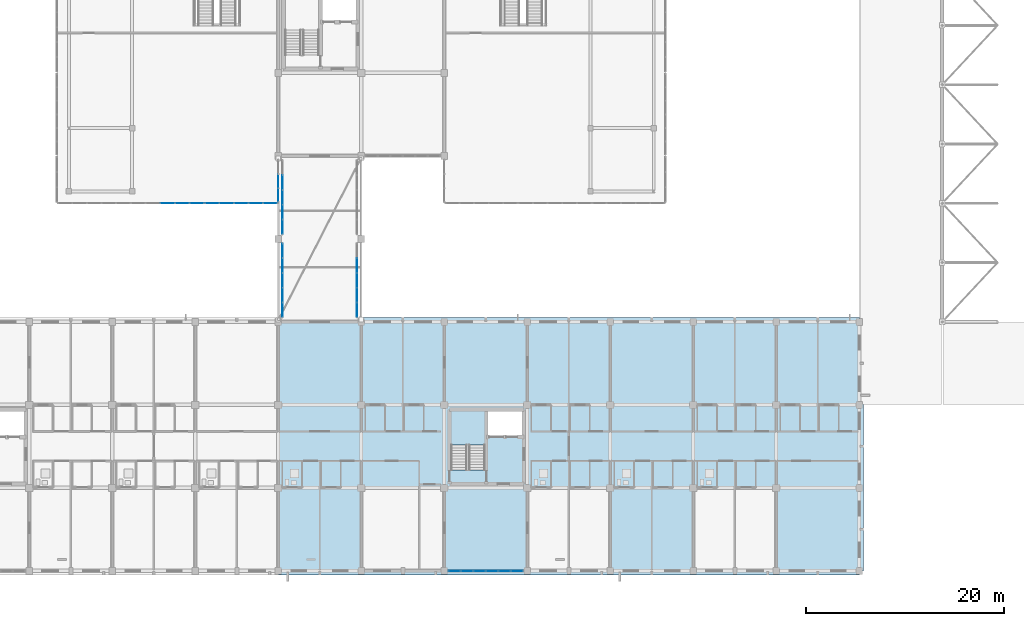
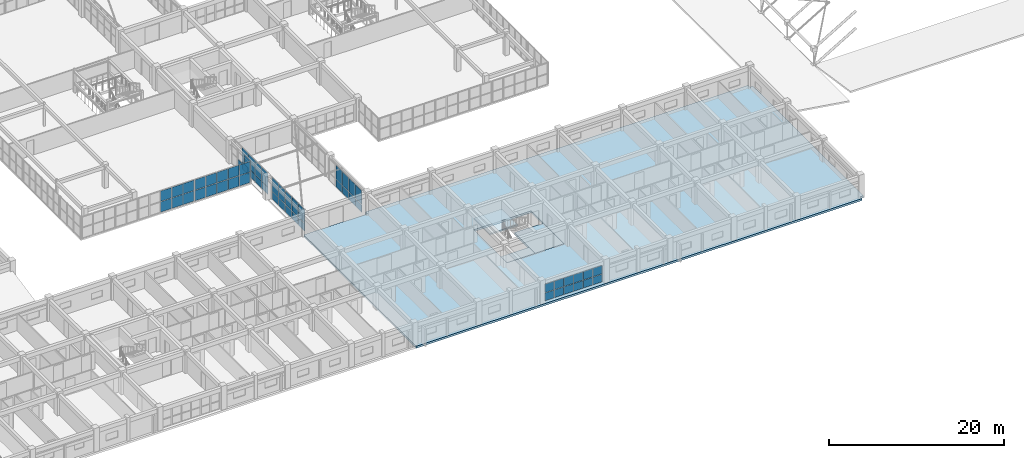
# One storey, part 100 of 148: 57 plates, 4 slabs, 8 elements without a shape of their own.
"""IFC4 building model written with IfcOpenShell, lengths in metres."""

from ifc_helpers import new_model, si_unit, direction, frame, origin, origin_2d, place, context, subcontext, project, spatial, polyline, rectangle, outline, extrude, material, layer, layer_set, type_object, element, aggregate, save


model = new_model("IFC4")

# Units and contexts
model_context = context("Model", 3, precision=1e-05, world=origin(), true_north=direction((0.0, 1.0)))
body_context = subcontext(model_context, "Body", "Model", "MODEL_VIEW")
ifc_project = project(units=[si_unit("LENGTHUNIT", "METRE"), si_unit("AREAUNIT", "SQUARE_METRE"), si_unit("VOLUMEUNIT", "CUBIC_METRE"), si_unit("PLANEANGLEUNIT", "RADIAN"), si_unit("MASSUNIT", "GRAM", prefix="KILO")], contexts=[model_context])

# Site, building, storey
site_placement = place(None, origin())
site = spatial("IfcSite", under=ifc_project, at=site_placement, CompositionType="ELEMENT")
building_placement = place(site_placement, origin())
building = spatial("IfcBuilding", under=site, at=building_placement, Name="Trelvath General Hospital", CompositionType="ELEMENT")
storey_placement = place(building_placement, frame((0.0, 0.0, 12.89990234375)))
storey = spatial("IfcBuildingStorey", under=building, at=storey_placement, Name="L03", CompositionType="ELEMENT", Elevation=12.89990234375)

# Curtain wall, plates
ifc_material_1 = material(Name="Anodised aluminium and low-E glass", Category="aluminium")
ifc_layer_1 = layer(ifc_material_1, 0.14990234375)
ifc_layer_set_1 = layer_set([ifc_layer_1], Name="Anodised aluminium and low-E glass")
curtain_wall_type_1 = type_object("IfcCurtainWallType", Name="CW CrystalCube 743 306 15", PredefinedType="USERDEFINED", material=ifc_layer_set_1)
curtain_wall_1_placement = place(storey_placement, origin())
curtain_wall_1 = element("IfcCurtainWall", 1, at=curtain_wall_1_placement, inside=storey, type_object=curtain_wall_type_1, Name="Crystal Cube Curtain Wall CUBE-W-T1 S2 L03", ObjectType="Unitised Glazed Curtain Wall", PredefinedType="USERDEFINED")
ifc_material_2 = material(Name="Low-E laminated glass", Category="glass")
ifc_layer_2 = layer(ifc_material_2, 0.028076171875)
ifc_layer_set_2 = layer_set([ifc_layer_2], Name="Low-E laminated glass")
plate_type_1 = type_object("IfcPlateType", Name="CurtainPanel Glass28", PredefinedType="CURTAIN_PANEL", material=ifc_layer_set_2)
plate_1_placement = place(storey_placement, frame((67.355712890625, 37.199951171875, 0.06005859375), z_axis=(0.0, 0.0, 1.0), x_axis=(-1.0, 0.0, 0.0)))
plate_1 = element("IfcPlate", 2, at=plate_1_placement, type_object=plate_type_1, Name="CW-231 panel 1.1", PredefinedType="CURTAIN_PANEL", context=body_context, shape_type="SweptSolid", body=[
    extrude(rectangle(XDim=1.395263671875, YDim=0.028076171875, at=origin_2d()), origin(), (0.0, 0.0, 1.0), 1.43994140625),
])
plate_2_placement = place(storey_placement, frame((67.355712890625, 37.199951171875, 1.56005859375), z_axis=(0.0, 0.0, 1.0), x_axis=(-1.0, 0.0, 0.0)))
plate_2 = element("IfcPlate", 3, at=plate_2_placement, type_object=plate_type_1, Name="CW-231 panel 1.2", PredefinedType="CURTAIN_PANEL", context=body_context, shape_type="SweptSolid", body=[
    extrude(rectangle(XDim=1.395263671875, YDim=0.028076171875, at=origin_2d()), origin(), (0.0, 0.0, 1.0), 1.43994140625),
])
plate_3_placement = place(storey_placement, frame((65.88525390625, 37.199951171875, 0.06005859375), z_axis=(0.0, 0.0, 1.0), x_axis=(-1.0, 0.0, 0.0)))
plate_3 = element("IfcPlate", 4, at=plate_3_placement, type_object=plate_type_1, Name="CW-231 panel 2.1", PredefinedType="CURTAIN_PANEL", context=body_context, shape_type="SweptSolid", body=[
    extrude(rectangle(XDim=1.42529296875, YDim=0.028076171875, at=origin_2d()), origin(), (0.0, 0.0, 1.0), 1.43994140625),
])
plate_4_placement = place(storey_placement, frame((65.88525390625, 37.199951171875, 1.56005859375), z_axis=(0.0, 0.0, 1.0), x_axis=(-1.0, 0.0, 0.0)))
plate_4 = element("IfcPlate", 5, at=plate_4_placement, type_object=plate_type_1, Name="CW-231 panel 2.2", PredefinedType="CURTAIN_PANEL", context=body_context, shape_type="SweptSolid", body=[
    extrude(rectangle(XDim=1.42529296875, YDim=0.028076171875, at=origin_2d()), origin(), (0.0, 0.0, 1.0), 1.43994140625),
])
plate_5_placement = place(storey_placement, frame((64.39990234375, 37.199951171875, 0.06005859375), z_axis=(0.0, 0.0, 1.0), x_axis=(-1.0, 0.0, 0.0)))
plate_5 = element("IfcPlate", 6, at=plate_5_placement, type_object=plate_type_1, Name="CW-231 panel 3.1", PredefinedType="CURTAIN_PANEL", context=body_context, shape_type="SweptSolid", body=[
    extrude(rectangle(XDim=1.42529296875, YDim=0.028076171875, at=origin_2d()), origin(), (0.0, 0.0, 1.0), 1.43994140625),
])
plate_6_placement = place(storey_placement, frame((64.39990234375, 37.199951171875, 1.56005859375), z_axis=(0.0, 0.0, 1.0), x_axis=(-1.0, 0.0, 0.0)))
plate_6 = element("IfcPlate", 7, at=plate_6_placement, type_object=plate_type_1, Name="CW-231 panel 3.2", PredefinedType="CURTAIN_PANEL", context=body_context, shape_type="SweptSolid", body=[
    extrude(rectangle(XDim=1.42529296875, YDim=0.028076171875, at=origin_2d()), origin(), (0.0, 0.0, 1.0), 1.43994140625),
])
aggregate(curtain_wall_1, [plate_1, plate_2, plate_3, plate_4, plate_5, plate_6])

ifc_material_3 = material(Name="Anodised aluminium and low-E glass", Category="aluminium")
ifc_layer_3 = layer(ifc_material_3, 0.14990234375)
ifc_layer_set_3 = layer_set([ifc_layer_3], Name="Anodised aluminium and low-E glass")
curtain_wall_type_2 = type_object("IfcCurtainWallType", Name="CW CrystalCube 737 306 15", PredefinedType="USERDEFINED", material=ifc_layer_set_3)
curtain_wall_2_placement = place(storey_placement, origin())
curtain_wall_2 = element("IfcCurtainWall", 8, at=curtain_wall_2_placement, inside=storey, type_object=curtain_wall_type_2, Name="Crystal Cube Curtain Wall CUBE-W-T1 S3 L03", ObjectType="Unitised Glazed Curtain Wall", PredefinedType="USERDEFINED")
plate_7_placement = place(storey_placement, frame((74.768310546875, 37.199951171875, 0.06005859375), z_axis=(0.0, 0.0, 1.0), x_axis=(-1.0, 0.0, 0.0)))
plate_7 = element("IfcPlate", 9, at=plate_7_placement, type_object=plate_type_1, Name="CW-232 panel 1.1", PredefinedType="CURTAIN_PANEL", context=body_context, shape_type="SweptSolid", body=[
    extrude(rectangle(XDim=1.38330078125, YDim=0.028076171875, at=origin_2d()), origin(), (0.0, 0.0, 1.0), 1.43994140625),
])
plate_8_placement = place(storey_placement, frame((74.768310546875, 37.199951171875, 1.56005859375), z_axis=(0.0, 0.0, 1.0), x_axis=(-1.0, 0.0, 0.0)))
plate_8 = element("IfcPlate", 10, at=plate_8_placement, type_object=plate_type_1, Name="CW-232 panel 1.2", PredefinedType="CURTAIN_PANEL", context=body_context, shape_type="SweptSolid", body=[
    extrude(rectangle(XDim=1.38330078125, YDim=0.028076171875, at=origin_2d()), origin(), (0.0, 0.0, 1.0), 1.43994140625),
])
plate_9_placement = place(storey_placement, frame((73.31005859375, 37.199951171875, 0.06005859375), z_axis=(0.0, 0.0, 1.0), x_axis=(-1.0, 0.0, 0.0)))
plate_9 = element("IfcPlate", 11, at=plate_9_placement, type_object=plate_type_1, Name="CW-232 panel 2.1", PredefinedType="CURTAIN_PANEL", context=body_context, shape_type="SweptSolid", body=[
    extrude(rectangle(XDim=1.413330078125, YDim=0.028076171875, at=origin_2d()), origin(), (0.0, 0.0, 1.0), 1.43994140625),
])
plate_10_placement = place(storey_placement, frame((73.31005859375, 37.199951171875, 1.56005859375), z_axis=(0.0, 0.0, 1.0), x_axis=(-1.0, 0.0, 0.0)))
plate_10 = element("IfcPlate", 12, at=plate_10_placement, type_object=plate_type_1, Name="CW-232 panel 2.2", PredefinedType="CURTAIN_PANEL", context=body_context, shape_type="SweptSolid", body=[
    extrude(rectangle(XDim=1.413330078125, YDim=0.028076171875, at=origin_2d()), origin(), (0.0, 0.0, 1.0), 1.43994140625),
])
plate_11_placement = place(storey_placement, frame((71.836669921875, 37.199951171875, 0.06005859375), z_axis=(0.0, 0.0, 1.0), x_axis=(-1.0, 0.0, 0.0)))
plate_11 = element("IfcPlate", 13, at=plate_11_placement, type_object=plate_type_1, Name="CW-232 panel 3.1", PredefinedType="CURTAIN_PANEL", context=body_context, shape_type="SweptSolid", body=[
    extrude(rectangle(XDim=1.413330078125, YDim=0.028076171875, at=origin_2d()), origin(), (0.0, 0.0, 1.0), 1.43994140625),
])
plate_12_placement = place(storey_placement, frame((71.836669921875, 37.199951171875, 1.56005859375), z_axis=(0.0, 0.0, 1.0), x_axis=(-1.0, 0.0, 0.0)))
plate_12 = element("IfcPlate", 14, at=plate_12_placement, type_object=plate_type_1, Name="CW-232 panel 3.2", PredefinedType="CURTAIN_PANEL", context=body_context, shape_type="SweptSolid", body=[
    extrude(rectangle(XDim=1.413330078125, YDim=0.028076171875, at=origin_2d()), origin(), (0.0, 0.0, 1.0), 1.43994140625),
])
plate_13_placement = place(storey_placement, frame((70.36328125, 37.199951171875, 0.06005859375), z_axis=(0.0, 0.0, 1.0), x_axis=(-1.0, 0.0, 0.0)))
plate_13 = element("IfcPlate", 15, at=plate_13_placement, type_object=plate_type_1, Name="CW-232 panel 4.1", PredefinedType="CURTAIN_PANEL", context=body_context, shape_type="SweptSolid", body=[
    extrude(rectangle(XDim=1.413330078125, YDim=0.028076171875, at=origin_2d()), origin(), (0.0, 0.0, 1.0), 1.43994140625),
])
plate_14_placement = place(storey_placement, frame((70.36328125, 37.199951171875, 1.56005859375), z_axis=(0.0, 0.0, 1.0), x_axis=(-1.0, 0.0, 0.0)))
plate_14 = element("IfcPlate", 16, at=plate_14_placement, type_object=plate_type_1, Name="CW-232 panel 4.2", PredefinedType="CURTAIN_PANEL", context=body_context, shape_type="SweptSolid", body=[
    extrude(rectangle(XDim=1.413330078125, YDim=0.028076171875, at=origin_2d()), origin(), (0.0, 0.0, 1.0), 1.43994140625),
])
plate_15_placement = place(storey_placement, frame((68.905029296875, 37.199951171875, 0.06005859375), z_axis=(0.0, 0.0, 1.0), x_axis=(-1.0, 0.0, 0.0)))
plate_15 = element("IfcPlate", 17, at=plate_15_placement, type_object=plate_type_1, Name="CW-232 panel 5.1", PredefinedType="CURTAIN_PANEL", context=body_context, shape_type="SweptSolid", body=[
    extrude(rectangle(XDim=1.38330078125, YDim=0.028076171875, at=origin_2d()), origin(), (0.0, 0.0, 1.0), 1.43994140625),
])
plate_16_placement = place(storey_placement, frame((68.905029296875, 37.199951171875, 1.56005859375), z_axis=(0.0, 0.0, 1.0), x_axis=(-1.0, 0.0, 0.0)))
plate_16 = element("IfcPlate", 18, at=plate_16_placement, type_object=plate_type_1, Name="CW-232 panel 5.2", PredefinedType="CURTAIN_PANEL", context=body_context, shape_type="SweptSolid", body=[
    extrude(rectangle(XDim=1.38330078125, YDim=0.028076171875, at=origin_2d()), origin(), (0.0, 0.0, 1.0), 1.43994140625),
])
aggregate(curtain_wall_2, [plate_7, plate_8, plate_9, plate_10, plate_11, plate_12, plate_13, plate_14, plate_15, plate_16])

ifc_material_4 = material(Name="Anodised aluminium and low-E glass", Category="aluminium")
ifc_layer_4 = layer(ifc_material_4, 0.14990234375)
ifc_layer_set_4 = layer_set([ifc_layer_4], Name="Anodised aluminium and low-E glass")
curtain_wall_type_3 = type_object("IfcCurtainWallType", Name="CW CrystalCube 434 306 15", PredefinedType="USERDEFINED", material=ifc_layer_set_4)
curtain_wall_3_placement = place(storey_placement, origin())
curtain_wall_3 = element("IfcCurtainWall", 19, at=curtain_wall_3_placement, inside=storey, type_object=curtain_wall_type_3, Name="Crystal Cube Curtain Wall CUBE-W-T1 E1 L03", ObjectType="Unitised Glazed Curtain Wall", PredefinedType="USERDEFINED")
plate_17_placement = place(storey_placement, frame((75.60009765625, 39.449951171875, 0.06005859375), z_axis=(0.0, 0.0, 1.0), x_axis=(0.0, -1.0, 0.0)))
plate_17 = element("IfcPlate", 20, at=plate_17_placement, type_object=plate_type_1, Name="CW-237 panel 2.1", PredefinedType="CURTAIN_PANEL", context=body_context, shape_type="SweptSolid", body=[
    extrude(rectangle(XDim=1.38671875, YDim=0.028076171875, at=origin_2d()), origin(), (0.0, 0.0, 1.0), 1.43994140625),
])
plate_18_placement = place(storey_placement, frame((75.60009765625, 38.018310546875, 0.06005859375), z_axis=(0.0, 0.0, 1.0), x_axis=(0.0, -1.0, 0.0)))
plate_18 = element("IfcPlate", 21, at=plate_18_placement, type_object=plate_type_1, Name="CW-237 panel 3.1", PredefinedType="CURTAIN_PANEL", context=body_context, shape_type="SweptSolid", body=[
    extrude(rectangle(XDim=1.356689453125, YDim=0.028076171875, at=origin_2d()), origin(), (0.0, 0.0, 1.0), 1.43994140625),
])
plate_19_placement = place(storey_placement, frame((75.60009765625, 38.018310546875, 1.56005859375), z_axis=(0.0, 0.0, 1.0), x_axis=(0.0, -1.0, 0.0)))
plate_19 = element("IfcPlate", 22, at=plate_19_placement, type_object=plate_type_1, Name="CW-237 panel 3.2", PredefinedType="CURTAIN_PANEL", context=body_context, shape_type="SweptSolid", body=[
    extrude(rectangle(XDim=1.356689453125, YDim=0.028076171875, at=origin_2d()), origin(), (0.0, 0.0, 1.0), 1.43994140625),
])
aggregate(curtain_wall_3, [plate_17, plate_18, plate_19])

ifc_material_5 = material(Name="Anodised aluminium and low-E glass", Category="aluminium")
ifc_layer_5 = layer(ifc_material_5, 0.139892578125)
ifc_layer_set_5 = layer_set([ifc_layer_5], Name="Anodised aluminium and low-E glass")
curtain_wall_type_4 = type_object("IfcCurtainWallType", Name="CW Bridge 752 311", PredefinedType="USERDEFINED", material=ifc_layer_set_5)
curtain_wall_4_placement = place(storey_placement, origin())
curtain_wall_4 = element("IfcCurtainWall", 23, at=curtain_wall_4_placement, inside=storey, type_object=curtain_wall_type_4, Name="Glazed Bridge Curtain Wall BRG-S-C W L03", ObjectType="Unitised Glazed Curtain Wall", PredefinedType="USERDEFINED")
plate_20_placement = place(storey_placement, frame((76.0400390625, 26.406982421875, 0.06005859375), z_axis=(0.0, 0.0, 1.0), x_axis=(0.0, 1.0, 0.0)))
plate_20 = element("IfcPlate", 24, at=plate_20_placement, type_object=plate_type_1, Name="CW-264 panel 1.1", PredefinedType="CURTAIN_PANEL", context=body_context, shape_type="SweptSolid", body=[
    extrude(rectangle(XDim=1.4140625, YDim=0.028076171875, at=origin_2d()), origin(), (0.0, 0.0, 1.0), 1.010009765625),
])
plate_21_placement = place(storey_placement, frame((76.0400390625, 26.406982421875, 1.130126953125), z_axis=(0.0, 0.0, 1.0), x_axis=(0.0, 1.0, 0.0)))
plate_21 = element("IfcPlate", 25, at=plate_21_placement, type_object=plate_type_1, Name="CW-264 panel 1.2", PredefinedType="CURTAIN_PANEL", context=body_context, shape_type="SweptSolid", body=[
    extrude(rectangle(XDim=1.4140625, YDim=0.028076171875, at=origin_2d()), origin(), (0.0, 0.0, 1.0), 1.919921875),
])
plate_22_placement = place(storey_placement, frame((76.0400390625, 27.89599609375, 0.06005859375), z_axis=(0.0, 0.0, 1.0), x_axis=(0.0, 1.0, 0.0)))
plate_22 = element("IfcPlate", 26, at=plate_22_placement, type_object=plate_type_1, Name="CW-264 panel 2.1", PredefinedType="CURTAIN_PANEL", context=body_context, shape_type="SweptSolid", body=[
    extrude(rectangle(XDim=1.444091796875, YDim=0.028076171875, at=origin_2d()), origin(), (0.0, 0.0, 1.0), 1.010009765625),
])
plate_23_placement = place(storey_placement, frame((76.0400390625, 27.89599609375, 1.130126953125), z_axis=(0.0, 0.0, 1.0), x_axis=(0.0, 1.0, 0.0)))
plate_23 = element("IfcPlate", 27, at=plate_23_placement, type_object=plate_type_1, Name="CW-264 panel 2.2", PredefinedType="CURTAIN_PANEL", context=body_context, shape_type="SweptSolid", body=[
    extrude(rectangle(XDim=1.444091796875, YDim=0.028076171875, at=origin_2d()), origin(), (0.0, 0.0, 1.0), 1.919921875),
])
plate_24_placement = place(storey_placement, frame((76.0400390625, 29.39990234375, 0.06005859375), z_axis=(0.0, 0.0, 1.0), x_axis=(0.0, 1.0, 0.0)))
plate_24 = element("IfcPlate", 28, at=plate_24_placement, type_object=plate_type_1, Name="CW-264 panel 3.1", PredefinedType="CURTAIN_PANEL", context=body_context, shape_type="SweptSolid", body=[
    extrude(rectangle(XDim=1.444091796875, YDim=0.028076171875, at=origin_2d()), origin(), (0.0, 0.0, 1.0), 1.010009765625),
])
plate_25_placement = place(storey_placement, frame((76.0400390625, 29.39990234375, 1.130126953125), z_axis=(0.0, 0.0, 1.0), x_axis=(0.0, 1.0, 0.0)))
plate_25 = element("IfcPlate", 29, at=plate_25_placement, type_object=plate_type_1, Name="CW-264 panel 3.2", PredefinedType="CURTAIN_PANEL", context=body_context, shape_type="SweptSolid", body=[
    extrude(rectangle(XDim=1.444091796875, YDim=0.028076171875, at=origin_2d()), origin(), (0.0, 0.0, 1.0), 1.919921875),
])
plate_26_placement = place(storey_placement, frame((76.0400390625, 30.904052734375, 0.06005859375), z_axis=(0.0, 0.0, 1.0), x_axis=(0.0, 1.0, 0.0)))
plate_26 = element("IfcPlate", 30, at=plate_26_placement, type_object=plate_type_1, Name="CW-264 panel 4.1", PredefinedType="CURTAIN_PANEL", context=body_context, shape_type="SweptSolid", body=[
    extrude(rectangle(XDim=1.444091796875, YDim=0.028076171875, at=origin_2d()), origin(), (0.0, 0.0, 1.0), 1.010009765625),
])
plate_27_placement = place(storey_placement, frame((76.0400390625, 30.904052734375, 1.130126953125), z_axis=(0.0, 0.0, 1.0), x_axis=(0.0, 1.0, 0.0)))
plate_27 = element("IfcPlate", 31, at=plate_27_placement, type_object=plate_type_1, Name="CW-264 panel 4.2", PredefinedType="CURTAIN_PANEL", context=body_context, shape_type="SweptSolid", body=[
    extrude(rectangle(XDim=1.444091796875, YDim=0.028076171875, at=origin_2d()), origin(), (0.0, 0.0, 1.0), 1.919921875),
])
plate_28_placement = place(storey_placement, frame((76.0400390625, 32.39306640625, 0.06005859375), z_axis=(0.0, 0.0, 1.0), x_axis=(0.0, 1.0, 0.0)))
plate_28 = element("IfcPlate", 32, at=plate_28_placement, type_object=plate_type_1, Name="CW-264 panel 5.1", PredefinedType="CURTAIN_PANEL", context=body_context, shape_type="SweptSolid", body=[
    extrude(rectangle(XDim=1.4140625, YDim=0.028076171875, at=origin_2d()), origin(), (0.0, 0.0, 1.0), 1.010009765625),
])
plate_29_placement = place(storey_placement, frame((76.0400390625, 32.39306640625, 1.130126953125), z_axis=(0.0, 0.0, 1.0), x_axis=(0.0, 1.0, 0.0)))
plate_29 = element("IfcPlate", 33, at=plate_29_placement, type_object=plate_type_1, Name="CW-264 panel 5.2", PredefinedType="CURTAIN_PANEL", context=body_context, shape_type="SweptSolid", body=[
    extrude(rectangle(XDim=1.4140625, YDim=0.028076171875, at=origin_2d()), origin(), (0.0, 0.0, 1.0), 1.919921875),
])
aggregate(curtain_wall_4, [plate_20, plate_21, plate_22, plate_23, plate_24, plate_25, plate_26, plate_27, plate_28, plate_29])

curtain_wall_5_placement = place(storey_placement, origin())
curtain_wall_5 = element("IfcCurtainWall", 34, at=curtain_wall_5_placement, inside=storey, type_object=curtain_wall_type_4, Name="Glazed Bridge Curtain Wall BRG-S-C E L03", ObjectType="Unitised Glazed Curtain Wall", PredefinedType="USERDEFINED")
plate_30_placement = place(storey_placement, frame((83.56005859375, 30.904052734375, 0.06005859375), z_axis=(0.0, 0.0, 1.0), x_axis=(0.0, -1.0, 0.0)))
plate_30 = element("IfcPlate", 35, at=plate_30_placement, type_object=plate_type_1, Name="CW-265 panel 2.1", PredefinedType="CURTAIN_PANEL", context=body_context, shape_type="SweptSolid", body=[
    extrude(rectangle(XDim=1.444091796875, YDim=0.028076171875, at=origin_2d()), origin(), (0.0, 0.0, 1.0), 1.010009765625),
])
plate_31_placement = place(storey_placement, frame((83.56005859375, 30.904052734375, 1.130126953125), z_axis=(0.0, 0.0, 1.0), x_axis=(0.0, -1.0, 0.0)))
plate_31 = element("IfcPlate", 36, at=plate_31_placement, type_object=plate_type_1, Name="CW-265 panel 2.2", PredefinedType="CURTAIN_PANEL", context=body_context, shape_type="SweptSolid", body=[
    extrude(rectangle(XDim=1.444091796875, YDim=0.028076171875, at=origin_2d()), origin(), (0.0, 0.0, 1.0), 1.919921875),
])
plate_32_placement = place(storey_placement, frame((83.56005859375, 29.39990234375, 0.06005859375), z_axis=(0.0, 0.0, 1.0), x_axis=(0.0, -1.0, 0.0)))
plate_32 = element("IfcPlate", 37, at=plate_32_placement, type_object=plate_type_1, Name="CW-265 panel 3.1", PredefinedType="CURTAIN_PANEL", context=body_context, shape_type="SweptSolid", body=[
    extrude(rectangle(XDim=1.444091796875, YDim=0.028076171875, at=origin_2d()), origin(), (0.0, 0.0, 1.0), 1.010009765625),
])
plate_33_placement = place(storey_placement, frame((83.56005859375, 29.39990234375, 1.130126953125), z_axis=(0.0, 0.0, 1.0), x_axis=(0.0, -1.0, 0.0)))
plate_33 = element("IfcPlate", 38, at=plate_33_placement, type_object=plate_type_1, Name="CW-265 panel 3.2", PredefinedType="CURTAIN_PANEL", context=body_context, shape_type="SweptSolid", body=[
    extrude(rectangle(XDim=1.444091796875, YDim=0.028076171875, at=origin_2d()), origin(), (0.0, 0.0, 1.0), 1.919921875),
])
plate_34_placement = place(storey_placement, frame((83.56005859375, 27.89599609375, 0.06005859375), z_axis=(0.0, 0.0, 1.0), x_axis=(0.0, -1.0, 0.0)))
plate_34 = element("IfcPlate", 39, at=plate_34_placement, type_object=plate_type_1, Name="CW-265 panel 4.1", PredefinedType="CURTAIN_PANEL", context=body_context, shape_type="SweptSolid", body=[
    extrude(rectangle(XDim=1.444091796875, YDim=0.028076171875, at=origin_2d()), origin(), (0.0, 0.0, 1.0), 1.010009765625),
])
plate_35_placement = place(storey_placement, frame((83.56005859375, 27.89599609375, 1.130126953125), z_axis=(0.0, 0.0, 1.0), x_axis=(0.0, -1.0, 0.0)))
plate_35 = element("IfcPlate", 40, at=plate_35_placement, type_object=plate_type_1, Name="CW-265 panel 4.2", PredefinedType="CURTAIN_PANEL", context=body_context, shape_type="SweptSolid", body=[
    extrude(rectangle(XDim=1.444091796875, YDim=0.028076171875, at=origin_2d()), origin(), (0.0, 0.0, 1.0), 1.919921875),
])
plate_36_placement = place(storey_placement, frame((83.56005859375, 26.406982421875, 0.06005859375), z_axis=(0.0, 0.0, 1.0), x_axis=(0.0, -1.0, 0.0)))
plate_36 = element("IfcPlate", 41, at=plate_36_placement, type_object=plate_type_1, Name="CW-265 panel 5.1", PredefinedType="CURTAIN_PANEL", context=body_context, shape_type="SweptSolid", body=[
    extrude(rectangle(XDim=1.4140625, YDim=0.028076171875, at=origin_2d()), origin(), (0.0, 0.0, 1.0), 1.010009765625),
])
plate_37_placement = place(storey_placement, frame((83.56005859375, 26.406982421875, 1.130126953125), z_axis=(0.0, 0.0, 1.0), x_axis=(0.0, -1.0, 0.0)))
plate_37 = element("IfcPlate", 42, at=plate_37_placement, type_object=plate_type_1, Name="CW-265 panel 5.2", PredefinedType="CURTAIN_PANEL", context=body_context, shape_type="SweptSolid", body=[
    extrude(rectangle(XDim=1.4140625, YDim=0.028076171875, at=origin_2d()), origin(), (0.0, 0.0, 1.0), 1.919921875),
])
aggregate(curtain_wall_5, [plate_30, plate_31, plate_32, plate_33, plate_34, plate_35, plate_36, plate_37])

curtain_wall_6_placement = place(storey_placement, origin())
curtain_wall_6 = element("IfcCurtainWall", 43, at=curtain_wall_6_placement, inside=storey, type_object=curtain_wall_type_4, Name="Glazed Bridge Curtain Wall BRG-S-C W L03", ObjectType="Unitised Glazed Curtain Wall", PredefinedType="USERDEFINED")
plate_38_placement = place(storey_placement, frame((76.0400390625, 34.806884765625, 0.06005859375), z_axis=(0.0, 0.0, 1.0), x_axis=(0.0, 1.0, 0.0)))
plate_38 = element("IfcPlate", 44, at=plate_38_placement, type_object=plate_type_1, Name="CW-266 panel 1.1", PredefinedType="CURTAIN_PANEL", context=body_context, shape_type="SweptSolid", body=[
    extrude(rectangle(XDim=1.4140625, YDim=0.028076171875, at=origin_2d()), origin(), (0.0, 0.0, 1.0), 1.010009765625),
])
plate_39_placement = place(storey_placement, frame((76.0400390625, 34.806884765625, 1.130126953125), z_axis=(0.0, 0.0, 1.0), x_axis=(0.0, 1.0, 0.0)))
plate_39 = element("IfcPlate", 45, at=plate_39_placement, type_object=plate_type_1, Name="CW-266 panel 1.2", PredefinedType="CURTAIN_PANEL", context=body_context, shape_type="SweptSolid", body=[
    extrude(rectangle(XDim=1.4140625, YDim=0.028076171875, at=origin_2d()), origin(), (0.0, 0.0, 1.0), 1.919921875),
])
plate_40_placement = place(storey_placement, frame((76.0400390625, 36.2958984375, 0.06005859375), z_axis=(0.0, 0.0, 1.0), x_axis=(0.0, 1.0, 0.0)))
plate_40 = element("IfcPlate", 46, at=plate_40_placement, type_object=plate_type_1, Name="CW-266 panel 2.1", PredefinedType="CURTAIN_PANEL", context=body_context, shape_type="SweptSolid", body=[
    extrude(rectangle(XDim=1.444091796875, YDim=0.028076171875, at=origin_2d()), origin(), (0.0, 0.0, 1.0), 1.010009765625),
])
plate_41_placement = place(storey_placement, frame((76.0400390625, 36.2958984375, 1.130126953125), z_axis=(0.0, 0.0, 1.0), x_axis=(0.0, 1.0, 0.0)))
plate_41 = element("IfcPlate", 47, at=plate_41_placement, type_object=plate_type_1, Name="CW-266 panel 2.2", PredefinedType="CURTAIN_PANEL", context=body_context, shape_type="SweptSolid", body=[
    extrude(rectangle(XDim=1.444091796875, YDim=0.028076171875, at=origin_2d()), origin(), (0.0, 0.0, 1.0), 1.919921875),
])
plate_42_placement = place(storey_placement, frame((76.0400390625, 37.800048828125, 0.06005859375), z_axis=(0.0, 0.0, 1.0), x_axis=(0.0, 1.0, 0.0)))
plate_42 = element("IfcPlate", 48, at=plate_42_placement, type_object=plate_type_1, Name="CW-266 panel 3.1", PredefinedType="CURTAIN_PANEL", context=body_context, shape_type="SweptSolid", body=[
    extrude(rectangle(XDim=1.444091796875, YDim=0.028076171875, at=origin_2d()), origin(), (0.0, 0.0, 1.0), 1.010009765625),
])
plate_43_placement = place(storey_placement, frame((76.0400390625, 37.800048828125, 1.130126953125), z_axis=(0.0, 0.0, 1.0), x_axis=(0.0, 1.0, 0.0)))
plate_43 = element("IfcPlate", 49, at=plate_43_placement, type_object=plate_type_1, Name="CW-266 panel 3.2", PredefinedType="CURTAIN_PANEL", context=body_context, shape_type="SweptSolid", body=[
    extrude(rectangle(XDim=1.444091796875, YDim=0.028076171875, at=origin_2d()), origin(), (0.0, 0.0, 1.0), 1.919921875),
])
plate_44_placement = place(storey_placement, frame((76.0400390625, 39.303955078125, 0.06005859375), z_axis=(0.0, 0.0, 1.0), x_axis=(0.0, 1.0, 0.0)))
plate_44 = element("IfcPlate", 50, at=plate_44_placement, type_object=plate_type_1, Name="CW-266 panel 4.1", PredefinedType="CURTAIN_PANEL", context=body_context, shape_type="SweptSolid", body=[
    extrude(rectangle(XDim=1.444091796875, YDim=0.028076171875, at=origin_2d()), origin(), (0.0, 0.0, 1.0), 1.010009765625),
])
plate_45_placement = place(storey_placement, frame((76.0400390625, 39.303955078125, 1.130126953125), z_axis=(0.0, 0.0, 1.0), x_axis=(0.0, 1.0, 0.0)))
plate_45 = element("IfcPlate", 51, at=plate_45_placement, type_object=plate_type_1, Name="CW-266 panel 4.2", PredefinedType="CURTAIN_PANEL", context=body_context, shape_type="SweptSolid", body=[
    extrude(rectangle(XDim=1.444091796875, YDim=0.028076171875, at=origin_2d()), origin(), (0.0, 0.0, 1.0), 1.919921875),
])
aggregate(curtain_wall_6, [plate_38, plate_39, plate_40, plate_41, plate_42, plate_43, plate_44, plate_45])

ifc_material_6 = material(Name="Anodised aluminium and low-E glass", Category="aluminium")
ifc_layer_6 = layer(ifc_material_6, 0.159912109375)
ifc_layer_set_6 = layer_set([ifc_layer_6], Name="Anodised aluminium and low-E glass")
curtain_wall_type_5 = type_object("IfcCurtainWallType", Name="CW Facade 759 244 16", PredefinedType="USERDEFINED", material=ifc_layer_set_6)
curtain_wall_7_placement = place(storey_placement, origin())
curtain_wall_7 = element("IfcCurtainWall", 52, at=curtain_wall_7_placement, inside=storey, type_object=curtain_wall_type_5, Name="Facade Curtain Wall CW-060", ObjectType="Unitised Glazed Curtain Wall", PredefinedType="USERDEFINED")
ifc_material_7 = material(Name="Insulated aluminium spandrel", Category="aluminium")
ifc_layer_7 = layer(ifc_material_7, 0.0439453125)
ifc_layer_set_7 = layer_set([ifc_layer_7], Name="Insulated aluminium spandrel")
plate_type_2 = type_object("IfcPlateType", Name="CurtainPanel Spandrel44", PredefinedType="CURTAIN_PANEL", material=ifc_layer_set_7)
plate_46_placement = place(storey_placement, frame((99.74755859375, 0.0, 0.06005859375), z_axis=(0.0, 0.0, 1.0), x_axis=(-1.0, 0.0, 0.0)))
plate_46 = element("IfcPlate", 53, at=plate_46_placement, type_object=plate_type_2, Name="CW-060 panel 1.1", PredefinedType="CURTAIN_PANEL", context=body_context, shape_type="SweptSolid", body=[
    extrude(rectangle(XDim=1.175048828125, YDim=0.0439453125, at=origin_2d()), origin(), (0.0, 0.0, 1.0), 1.0810546875),
])
plate_47_placement = place(storey_placement, frame((99.74755859375, 0.0, 1.201171875), z_axis=(0.0, 0.0, 1.0), x_axis=(-1.0, 0.0, 0.0)))
plate_47 = element("IfcPlate", 54, at=plate_47_placement, type_object=plate_type_2, Name="CW-060 panel 1.2", PredefinedType="CURTAIN_PANEL", context=body_context, shape_type="SweptSolid", body=[
    extrude(rectangle(XDim=1.175048828125, YDim=0.0439453125, at=origin_2d()), origin(), (0.0, 0.0, 1.0), 1.178955078125),
])
plate_48_placement = place(storey_placement, frame((98.49755859375, 0.0, 0.06005859375), z_axis=(0.0, 0.0, 1.0), x_axis=(-1.0, 0.0, 0.0)))
plate_48 = element("IfcPlate", 55, at=plate_48_placement, type_object=plate_type_2, Name="CW-060 panel 2.1", PredefinedType="CURTAIN_PANEL", context=body_context, shape_type="SweptSolid", body=[
    extrude(rectangle(XDim=1.205078125, YDim=0.0439453125, at=origin_2d()), origin(), (0.0, 0.0, 1.0), 1.0810546875),
])
plate_49_placement = place(storey_placement, frame((98.49755859375, 0.0, 1.201171875), z_axis=(0.0, 0.0, 1.0), x_axis=(-1.0, 0.0, 0.0)))
plate_49 = element("IfcPlate", 56, at=plate_49_placement, type_object=plate_type_2, Name="CW-060 panel 2.2", PredefinedType="CURTAIN_PANEL", context=body_context, shape_type="SweptSolid", body=[
    extrude(rectangle(XDim=1.205078125, YDim=0.0439453125, at=origin_2d()), origin(), (0.0, 0.0, 1.0), 1.178955078125),
])
plate_50_placement = place(storey_placement, frame((97.232421875, 0.0, 0.06005859375), z_axis=(0.0, 0.0, 1.0), x_axis=(-1.0, 0.0, 0.0)))
plate_50 = element("IfcPlate", 57, at=plate_50_placement, type_object=plate_type_2, Name="CW-060 panel 3.1", PredefinedType="CURTAIN_PANEL", context=body_context, shape_type="SweptSolid", body=[
    extrude(rectangle(XDim=1.205078125, YDim=0.0439453125, at=origin_2d()), origin(), (0.0, 0.0, 1.0), 1.0810546875),
])
plate_51_placement = place(storey_placement, frame((97.232421875, 0.0, 1.201171875), z_axis=(0.0, 0.0, 1.0), x_axis=(-1.0, 0.0, 0.0)))
plate_51 = element("IfcPlate", 58, at=plate_51_placement, type_object=plate_type_2, Name="CW-060 panel 3.2", PredefinedType="CURTAIN_PANEL", context=body_context, shape_type="SweptSolid", body=[
    extrude(rectangle(XDim=1.205078125, YDim=0.0439453125, at=origin_2d()), origin(), (0.0, 0.0, 1.0), 1.178955078125),
])
plate_52_placement = place(storey_placement, frame((95.967529296875, 0.0, 0.06005859375), z_axis=(0.0, 0.0, 1.0), x_axis=(-1.0, 0.0, 0.0)))
plate_52 = element("IfcPlate", 59, at=plate_52_placement, type_object=plate_type_2, Name="CW-060 panel 4.1", PredefinedType="CURTAIN_PANEL", context=body_context, shape_type="SweptSolid", body=[
    extrude(rectangle(XDim=1.205078125, YDim=0.0439453125, at=origin_2d()), origin(), (0.0, 0.0, 1.0), 1.0810546875),
])
plate_53_placement = place(storey_placement, frame((95.967529296875, 0.0, 1.201171875), z_axis=(0.0, 0.0, 1.0), x_axis=(-1.0, 0.0, 0.0)))
plate_53 = element("IfcPlate", 60, at=plate_53_placement, type_object=plate_type_2, Name="CW-060 panel 4.2", PredefinedType="CURTAIN_PANEL", context=body_context, shape_type="SweptSolid", body=[
    extrude(rectangle(XDim=1.205078125, YDim=0.0439453125, at=origin_2d()), origin(), (0.0, 0.0, 1.0), 1.178955078125),
])
plate_54_placement = place(storey_placement, frame((94.702392578125, 0.0, 0.06005859375), z_axis=(0.0, 0.0, 1.0), x_axis=(-1.0, 0.0, 0.0)))
plate_54 = element("IfcPlate", 61, at=plate_54_placement, type_object=plate_type_2, Name="CW-060 panel 5.1", PredefinedType="CURTAIN_PANEL", context=body_context, shape_type="SweptSolid", body=[
    extrude(rectangle(XDim=1.205078125, YDim=0.0439453125, at=origin_2d()), origin(), (0.0, 0.0, 1.0), 1.0810546875),
])
plate_55_placement = place(storey_placement, frame((94.702392578125, 0.0, 1.201171875), z_axis=(0.0, 0.0, 1.0), x_axis=(-1.0, 0.0, 0.0)))
plate_55 = element("IfcPlate", 62, at=plate_55_placement, type_object=plate_type_2, Name="CW-060 panel 5.2", PredefinedType="CURTAIN_PANEL", context=body_context, shape_type="SweptSolid", body=[
    extrude(rectangle(XDim=1.205078125, YDim=0.0439453125, at=origin_2d()), origin(), (0.0, 0.0, 1.0), 1.178955078125),
])
plate_56_placement = place(storey_placement, frame((93.452392578125, 0.0, 0.06005859375), z_axis=(0.0, 0.0, 1.0), x_axis=(-1.0, 0.0, 0.0)))
plate_56 = element("IfcPlate", 63, at=plate_56_placement, type_object=plate_type_2, Name="CW-060 panel 6.1", PredefinedType="CURTAIN_PANEL", context=body_context, shape_type="SweptSolid", body=[
    extrude(rectangle(XDim=1.175048828125, YDim=0.0439453125, at=origin_2d()), origin(), (0.0, 0.0, 1.0), 1.0810546875),
])
plate_57_placement = place(storey_placement, frame((93.452392578125, 0.0, 1.201171875), z_axis=(0.0, 0.0, 1.0), x_axis=(-1.0, 0.0, 0.0)))
plate_57 = element("IfcPlate", 64, at=plate_57_placement, type_object=plate_type_2, Name="CW-060 panel 6.2", PredefinedType="CURTAIN_PANEL", context=body_context, shape_type="SweptSolid", body=[
    extrude(rectangle(XDim=1.175048828125, YDim=0.0439453125, at=origin_2d()), origin(), (0.0, 0.0, 1.0), 1.178955078125),
])
aggregate(curtain_wall_7, [plate_46, plate_47, plate_48, plate_49, plate_50, plate_51, plate_52, plate_53, plate_54, plate_55, plate_56, plate_57])

# Slabs
ifc_material_8 = material(Name="Concrete C35/45", Category="concrete")
ifc_layer_8 = layer(ifc_material_8, 0.280029296875)
ifc_layer_set_8 = layer_set([ifc_layer_8], Name="Concrete C35/45")
slab_type_1 = type_object("IfcSlabType", Name="FlatSlab Clinical280", PredefinedType="FLOOR", material=ifc_layer_set_8)
slab_1_placement = place(storey_placement, frame((0.0, 0.0, -0.27978515625)))
element("IfcSlab", 65, at=slab_1_placement, inside=storey, type_object=slab_type_1, Name="Floor Slab SL-L03-V6-S1", PredefinedType="FLOOR", context=body_context, shape_type="SweptSolid", body=[
    extrude(outline(polyline([(84.0, 25.199951171875), (84.0, 25.6201171875), (134.39990234375, 25.6201171875), (134.39990234375, 25.199951171875), (134.820068359375, 25.199951171875), (134.820068359375, 0.0), (134.39990234375, 0.0), (134.39990234375, -0.419921875), (75.6201171875, -0.419921875), (75.6201171875, 25.199951171875), (84.0, 25.199951171875)]), holes=[polyline([(92.949951171875, 8.800048828125), (100.449951171875, 8.800048828125), (100.449951171875, 16.35009765625), (92.949951171875, 16.35009765625), (92.949951171875, 8.800048828125)])]), origin(), (0.0, 0.0, 1.0), 0.27978515625),
])
slab_2_placement = place(storey_placement, frame((0.0, 0.0, -0.27978515625)))
element("IfcSlab", 66, at=slab_2_placement, inside=storey, type_object=slab_type_1, Name="Core Lobby Slab C5 L03", PredefinedType="FLOOR", context=body_context, shape_type="SweptSolid", body=[
    extrude(outline(polyline([(96.64990234375, 8.800048828125), (100.449951171875, 8.800048828125), (100.449951171875, 13.550048828125), (96.64990234375, 13.550048828125), (96.64990234375, 8.800048828125)])), origin(), (0.0, 0.0, 1.0), 0.27978515625),
])
slab_3_placement = place(storey_placement, frame((0.0, 0.0, -0.27978515625)))
element("IfcSlab", 67, at=slab_3_placement, inside=storey, type_object=slab_type_1, Name="Stair Landing Slab C5 L03", PredefinedType="FLOOR", context=body_context, shape_type="SweptSolid", body=[
    extrude(outline(polyline([(92.949951171875, 8.800048828125), (96.64990234375, 8.800048828125), (96.64990234375, 10.199951171875), (92.949951171875, 10.199951171875), (92.949951171875, 8.800048828125)])), origin(), (0.0, 0.0, 1.0), 0.27978515625),
])

# Stair, slab
ifc_material_9 = material(Name="Concrete C35/45", Category="concrete")
stair_type = type_object("IfcStairType", Name="Stair Stretcher330", PredefinedType="TWO_STRAIGHT_RUN_STAIR", material=ifc_material_9)
stair_placement = place(storey_placement, origin())
stair = element("IfcStair", 68, at=stair_placement, inside=storey, type_object=stair_type, Name="Exit Stair ST5 L03", PredefinedType="TWO_STRAIGHT_RUN_STAIR")
ifc_material_10 = material(Name="Concrete C35/45", Category="concrete")
ifc_layer_9 = layer(ifc_material_10, 0.199951171875)
ifc_layer_set_9 = layer_set([ifc_layer_9], Name="Concrete C35/45")
slab_type_2 = type_object("IfcSlabType", Name="StairLanding 200", PredefinedType="LANDING", material=ifc_layer_set_9)
slab_4_placement = place(storey_placement, frame((0.0, 0.0, 1.4501953125)))
slab_4 = element("IfcSlab", 69, at=slab_4_placement, type_object=slab_type_2, Name="ST5-L03 landing 1", PredefinedType="LANDING", context=body_context, shape_type="SweptSolid", body=[
    extrude(outline(polyline([(92.9599609375, 12.719970703125), (96.639892578125, 12.719970703125), (96.639892578125, 16.340087890625), (92.9599609375, 16.340087890625), (92.9599609375, 12.719970703125)])), origin(), (0.0, 0.0, 1.0), 0.199951171875),
])
aggregate(stair, [slab_4])

save(model, "model.ifc")
